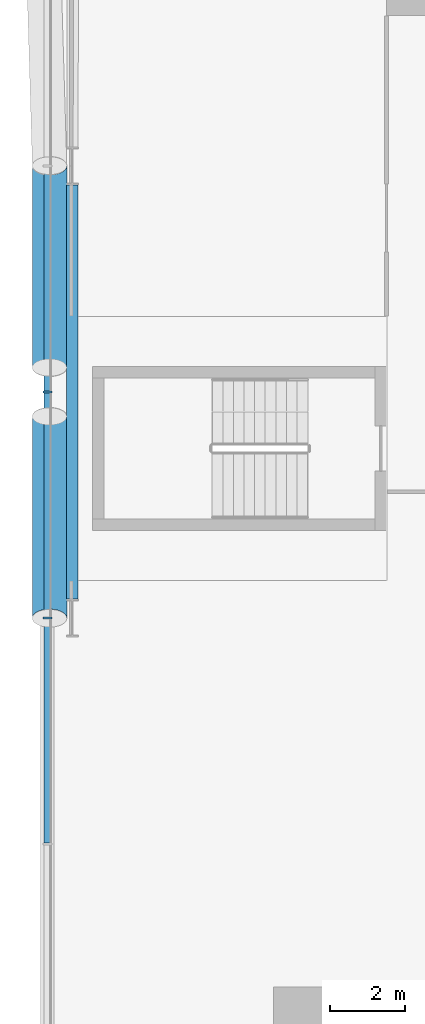
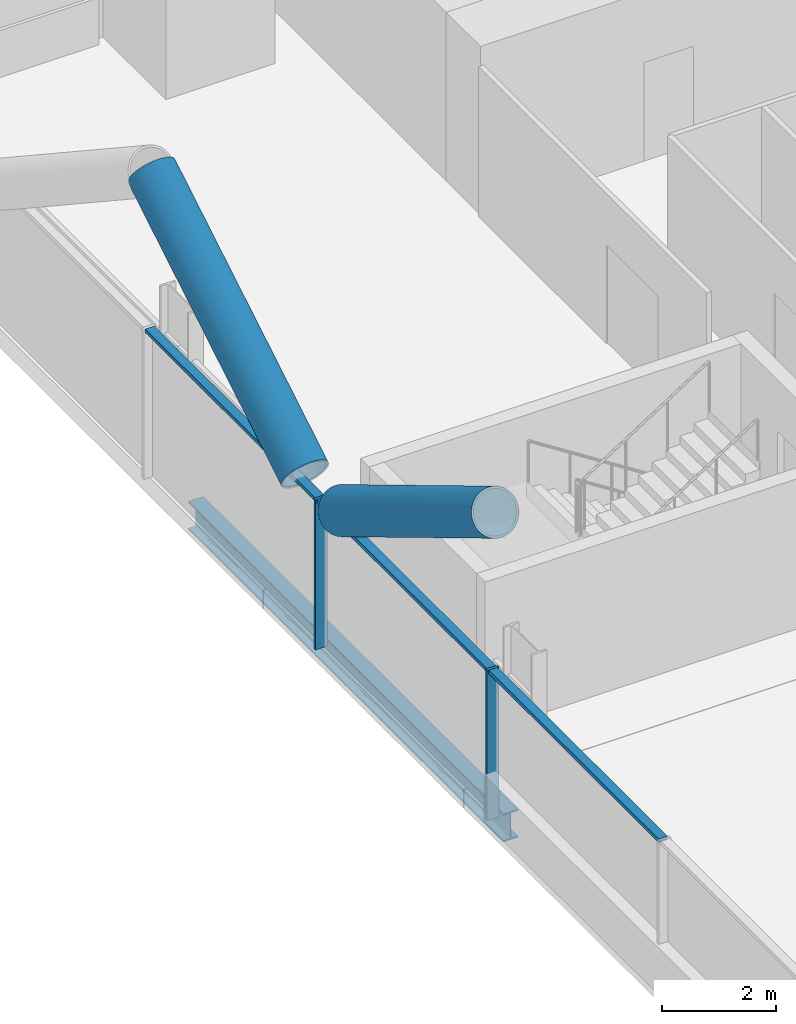
# One storey, part 5 of 25: 7 members, 1 beam, 1 element without a shape of its own.
"""IFC4 building model written with IfcOpenShell, lengths in metres."""

from ifc_helpers import new_model, si_unit, direction, frame, origin, origin_2d, place, context, subcontext, project, spatial, rectangle, hollow_circle, i_section, extrude, material, material_profile, profile_set, type_object, element, aggregate, save


model = new_model("IFC4")

# Units and contexts
model_context = context("Model", 3, precision=1e-05, world=origin(), true_north=direction((0.0, 1.0)))
body_context = subcontext(model_context, "Body", "Model", "MODEL_VIEW")
ifc_project = project(units=[si_unit("LENGTHUNIT", "METRE"), si_unit("AREAUNIT", "SQUARE_METRE"), si_unit("VOLUMEUNIT", "CUBIC_METRE"), si_unit("PLANEANGLEUNIT", "RADIAN"), si_unit("MASSUNIT", "GRAM", prefix="KILO")], contexts=[model_context])

# Site, building, storey
site_placement = place(None, origin())
site = spatial("IfcSite", under=ifc_project, at=site_placement, CompositionType="ELEMENT")
building_placement = place(site_placement, origin())
building = spatial("IfcBuilding", under=site, at=building_placement, Name="Wharfspan Tower", CompositionType="ELEMENT")
storey_placement = place(building_placement, frame((0.0, 0.0, 63.100098)))
storey = spatial("IfcBuildingStorey", under=building, at=storey_placement, Name="L12", CompositionType="ELEMENT", Elevation=63.100098)

# Beam
ifc_material_1 = material(Name="Steel S355J2", Category="steel")
ifc_material_profile_1 = material_profile(ifc_material_1, i_section(OverallWidth=0.300049, OverallDepth=0.600098, WebThickness=0.015381, FlangeThickness=0.030029, FilletRadius=0.0271, at=origin_2d()))
ifc_profile_set_1 = profile_set([ifc_material_profile_1], Name="Steel S355J2")
beam_type = type_object("IfcBeamType", Name="Edge beam HEB 600", PredefinedType="SPANDREL", material=ifc_profile_set_1)
beam_placement = place(storey_placement, frame((0.659912, 29.5, -0.700195), z_axis=(0.0, -1.0, 0.0), x_axis=(1.0, 0.0, 0.0)))
element("IfcBeam", 1, at=beam_placement, inside=storey, type_object=beam_type, Name="Edge beam W L12 PW.1 to PW.2", PredefinedType="SPANDREL", context=body_context, shape_type="SweptSolid", body=[
    extrude(i_section(OverallWidth=0.300049, OverallDepth=0.600098, WebThickness=0.015381, FlangeThickness=0.030029, FilletRadius=0.0271, at=origin_2d()), origin(), (0.0, 0.0, 1.0), 11.0),
])

# Curtain wall, members
ifc_material_2 = material(Name="Aluminium 6063-T6", Category="aluminium")
curtain_wall_type = type_object("IfcCurtainWallType", Name="CURTAIN WALL PROW AND END", PredefinedType="NOTDEFINED", material=ifc_material_2)
curtain_wall_placement = place(storey_placement, origin())
curtain_wall = element("IfcCurtainWall", 2, at=curtain_wall_placement, inside=storey, type_object=curtain_wall_type, Name="Curtain wall W", PredefinedType="NOTDEFINED")
ifc_material_profile_2 = material_profile(ifc_material_2, rectangle(XDim=0.23999, YDim=0.060059, at=origin_2d()))
ifc_profile_set_2 = profile_set([ifc_material_profile_2], Name="Aluminium 6063-T6")
member_type_1 = type_object("IfcMemberType", Name="MULLION PROW AND END 60x240", PredefinedType="MULLION", material=ifc_profile_set_2)
member_1_placement = place(storey_placement, frame((0.0, 24.0, 0.0), z_axis=(0.0, 0.0, 1.0), x_axis=(1.0, 0.0, 0.0)))
member_1 = element("IfcMember", 3, at=member_1_placement, type_object=member_type_1, Name="Curtain wall W mullion 4", PredefinedType="MULLION", context=body_context, shape_type="SweptSolid", body=[
    extrude(rectangle(XDim=0.23999, YDim=0.060059, at=origin_2d()), origin(), (0.0, 0.0, 1.0), 3.199951),
])
member_2_placement = place(storey_placement, frame((0.0, 18.0, 0.0), z_axis=(0.0, 0.0, 1.0), x_axis=(1.0, 0.0, 0.0)))
member_2 = element("IfcMember", 4, at=member_2_placement, type_object=member_type_1, Name="Curtain wall W mullion 5", PredefinedType="MULLION", context=body_context, shape_type="SweptSolid", body=[
    extrude(rectangle(XDim=0.23999, YDim=0.060059, at=origin_2d()), origin(), (0.0, 0.0, 1.0), 3.199951),
])

# Members
ifc_material_3 = material(Name="Steel S460NH", Category="steel")
ifc_material_profile_3 = material_profile(ifc_material_3, hollow_circle(Radius=0.457031, WallThickness=0.040039, at=origin_2d()))
ifc_profile_set_3 = profile_set([ifc_material_profile_3], Name="Steel S460NH")
member_type_2 = type_object("IfcMemberType", Name="Mega brace CHS 914x40", PredefinedType="BRACE", material=ifc_profile_set_3)
for number, where, z_axis, x_axis, name in (
    (5, (0.054932, 23.350098, 3.289795), (0.0, -0.857483, 0.514513), (1.0, 0.0, 0.0), "Mega brace W3 L12 part 2"),
    (6, (0.054932, 24.649902, 3.289795), (0.0, 0.857483, 0.514513), (-1.0, 0.0, 0.0), "Mega brace W3 L12 part 4"),
):
    element("IfcMember", number, at=place(storey_placement, frame(where, z_axis=z_axis, x_axis=x_axis)), inside=storey, type_object=member_type_2, Name=name, PredefinedType="BRACE", context=body_context, shape_type="SweptSolid", body=[
        extrude(hollow_circle(Radius=0.457031, WallThickness=0.040039, at=origin_2d()), origin(), (0.0, 0.0, 1.0), 6.239258),
    ])

# Member
ifc_material_profile_4 = material_profile(ifc_material_2, rectangle(XDim=0.179932, YDim=0.080078, at=origin_2d()))
ifc_profile_set_4 = profile_set([ifc_material_profile_4], Name="Aluminium 6063-T6")
member_type_3 = type_object("IfcMemberType", Name="TRANSOM PROW AND END 80x180", PredefinedType="USERDEFINED", material=ifc_profile_set_4)
member_3_placement = place(storey_placement, frame((0.0, 29.969971, 3.159912), z_axis=(0.0, -1.0, 0.0), x_axis=(1.0, 0.0, 0.0)))
member_3 = element("IfcMember", 7, at=member_3_placement, type_object=member_type_3, Name="Curtain wall W transom 3", ObjectType="TRANSOM", PredefinedType="USERDEFINED", context=body_context, shape_type="SweptSolid", body=[
    extrude(rectangle(XDim=0.179932, YDim=0.080078, at=origin_2d()), origin(), (0.0, 0.0, 1.0), 5.939941),
])

member_4_placement = place(storey_placement, frame((0.0, 23.969971, 3.159912), z_axis=(0.0, -1.0, 0.0), x_axis=(1.0, 0.0, 0.0)))
member_4 = element("IfcMember", 8, at=member_4_placement, type_object=member_type_3, Name="Curtain wall W transom 4", ObjectType="TRANSOM", PredefinedType="USERDEFINED", context=body_context, shape_type="SweptSolid", body=[
    extrude(rectangle(XDim=0.179932, YDim=0.080078, at=origin_2d()), origin(), (0.0, 0.0, 1.0), 5.939941),
])

member_5_placement = place(storey_placement, frame((0.0, 17.969971, 3.159912), z_axis=(0.0, -1.0, 0.0), x_axis=(1.0, 0.0, 0.0)))
member_5 = element("IfcMember", 9, at=member_5_placement, type_object=member_type_3, Name="Curtain wall W transom 5", ObjectType="TRANSOM", PredefinedType="USERDEFINED", context=body_context, shape_type="SweptSolid", body=[
    extrude(rectangle(XDim=0.179932, YDim=0.080078, at=origin_2d()), origin(), (0.0, 0.0, 1.0), 5.939941),
])

aggregate(curtain_wall, [member_1, member_2, member_3, member_4, member_5])

save(model, "model.ifc")
